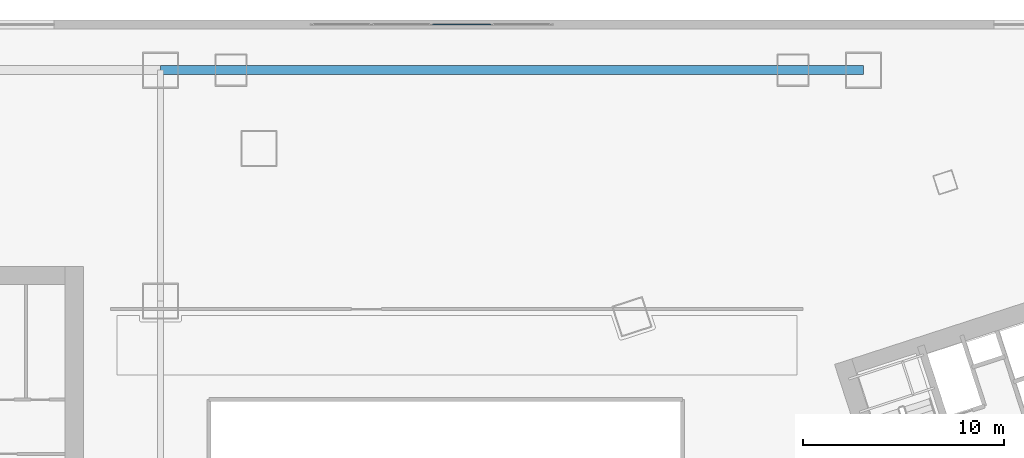
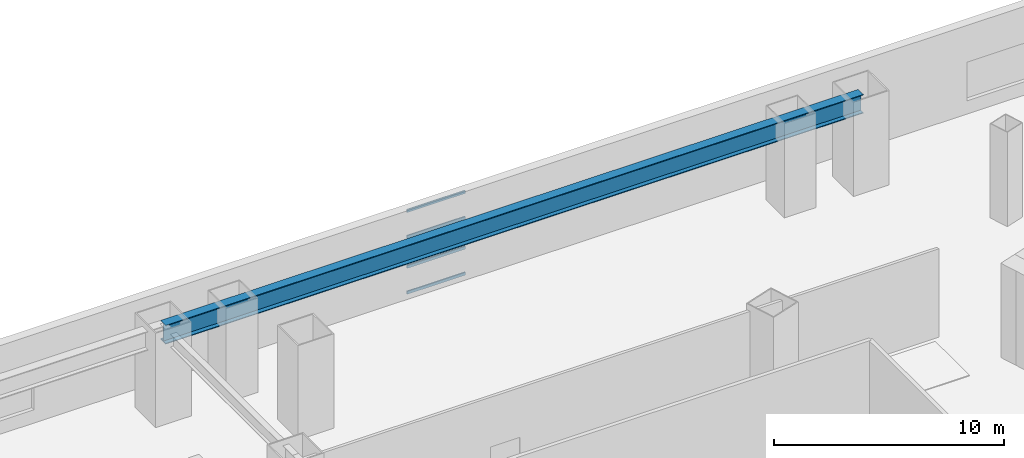
# One storey, part 19 of 35: 4 members, 1 beam, 1 element without a shape of its own.
"""IFC4 building model written with IfcOpenShell, lengths in metres."""

from ifc_helpers import new_model, si_unit, direction, frame, origin, origin_2d, place, context, subcontext, project, spatial, hollow_rectangle, i_section, extrude, material, layer, layer_set, material_profile, profile_set, type_object, element, aggregate, save


model = new_model("IFC4")

# Units and contexts
model_context = context("Model", 3, precision=1e-05, world=origin(), true_north=direction((0.0, 1.0)))
body_context = subcontext(model_context, "Body", "Model", "MODEL_VIEW")
ifc_project = project(units=[si_unit("LENGTHUNIT", "METRE"), si_unit("AREAUNIT", "SQUARE_METRE"), si_unit("VOLUMEUNIT", "CUBIC_METRE"), si_unit("PLANEANGLEUNIT", "RADIAN"), si_unit("MASSUNIT", "GRAM", prefix="KILO")], contexts=[model_context])

# Site, building, storey
site_placement = place(None, origin())
site = spatial("IfcSite", under=ifc_project, at=site_placement, CompositionType="ELEMENT")
building_placement = place(site_placement, origin())
building = spatial("IfcBuilding", under=site, at=building_placement, Name="Qiaolan Cultural Towers", CompositionType="ELEMENT")
storey_placement = place(building_placement, frame((0.0, 0.0, 11.5)))
storey = spatial("IfcBuildingStorey", under=building, at=storey_placement, Name="L02", CompositionType="ELEMENT", Elevation=11.5)

# Beam
ifc_material_1 = material(Name="Steel Q390GJB", Category="steel")
ifc_material_profile_1 = material_profile(ifc_material_1, i_section(OverallWidth=0.449951171875, OverallDepth=1.0, WebThickness=0.02392578125, FlangeThickness=0.0400390625, at=origin_2d()), Name="BH1000x450x24x40")
ifc_profile_set_1 = profile_set([ifc_material_profile_1], Name="Steel Q390GJB")
beam_type = type_object("IfcBeamType", Name="BM-BH1000x450x24x40", PredefinedType="BEAM", material=ifc_profile_set_1)
beam_placement = place(storey_placement, frame((42.5, 65.5, 4.199951171875), z_axis=(1.0, 0.0, 0.0), x_axis=(0.0, 1.0, 0.0)))
element("IfcBeam", 1, at=beam_placement, inside=storey, type_object=beam_type, Name="L02 Podium Primary Girder Y=65.5", PredefinedType="BEAM", context=body_context, shape_type="SweptSolid", body=[
    extrude(i_section(OverallWidth=0.449951171875, OverallDepth=1.0, WebThickness=0.02392578125, FlangeThickness=0.0400390625, at=origin_2d()), origin(), (0.0, 0.0, 1.0), 35.0),
])

# Curtain wall, members
ifc_material_2 = material(Name="Unitized Anodized Aluminium Curtain Wall System", Category="aluminium")
ifc_layer = layer(ifc_material_2, 0.199951171875)
ifc_layer_set = layer_set([ifc_layer], Name="Unitized Anodized Aluminium Curtain Wall System")
curtain_wall_type = type_object("IfcCurtainWallType", Name="CWS-01", PredefinedType="NOTDEFINED", material=ifc_layer_set)
curtain_wall_placement = place(storey_placement, origin())
curtain_wall = element("IfcCurtainWall", 2, at=curtain_wall_placement, inside=storey, type_object=curtain_wall_type, Name="L02 North Atrium Curtain Wall", PredefinedType="NOTDEFINED")
ifc_material_3 = material(Name="Extruded Aluminium 6063-T6", Category="aluminium")
ifc_material_profile_2 = material_profile(ifc_material_3, hollow_rectangle(XDim=0.06494140625, YDim=0.14990234375, WallThickness=0.00390625, at=origin_2d()), Name="CWT-150x65x4")
ifc_profile_set_2 = profile_set([ifc_material_profile_2], Name="Extruded Aluminium 6063-T6")
member_type = type_object("IfcMemberType", Name="CWS-01-TRN", PredefinedType="USERDEFINED", material=ifc_profile_set_2)
member_1_placement = place(storey_placement, frame((56.03759765625, 67.780029296875, 0.1826171875), z_axis=(1.0, 0.0, 0.0), x_axis=(0.0, 1.0, 0.0)))
member_1 = element("IfcMember", 3, at=member_1_placement, type_object=member_type, Name="CW-1 transom 3.1", ObjectType="TRANSOM", PredefinedType="USERDEFINED", context=body_context, shape_type="SweptSolid", body=[
    extrude(hollow_rectangle(XDim=0.06494140625, YDim=0.14990234375, WallThickness=0.00390625, at=origin_2d()), origin(), (0.0, 0.0, 1.0), 2.9248046875),
])
member_2_placement = place(storey_placement, frame((56.03759765625, 67.780029296875, 1.56005859375), z_axis=(1.0, 0.0, 0.0), x_axis=(0.0, 1.0, 0.0)))
member_2 = element("IfcMember", 4, at=member_2_placement, type_object=member_type, Name="CW-1 transom 3.2", ObjectType="TRANSOM", PredefinedType="USERDEFINED", context=body_context, shape_type="SweptSolid", body=[
    extrude(hollow_rectangle(XDim=0.06494140625, YDim=0.14990234375, WallThickness=0.00390625, at=origin_2d()), origin(), (0.0, 0.0, 1.0), 2.9248046875),
])
member_3_placement = place(storey_placement, frame((56.03759765625, 67.780029296875, 3.139892578125), z_axis=(1.0, 0.0, 0.0), x_axis=(0.0, 1.0, 0.0)))
member_3 = element("IfcMember", 5, at=member_3_placement, type_object=member_type, Name="CW-1 transom 3.3", ObjectType="TRANSOM", PredefinedType="USERDEFINED", context=body_context, shape_type="SweptSolid", body=[
    extrude(hollow_rectangle(XDim=0.06494140625, YDim=0.14990234375, WallThickness=0.00390625, at=origin_2d()), origin(), (0.0, 0.0, 1.0), 2.9248046875),
])
member_4_placement = place(storey_placement, frame((56.03759765625, 67.780029296875, 4.517578125), z_axis=(1.0, 0.0, 0.0), x_axis=(0.0, 1.0, 0.0)))
member_4 = element("IfcMember", 6, at=member_4_placement, type_object=member_type, Name="CW-1 transom 3.4", ObjectType="TRANSOM", PredefinedType="USERDEFINED", context=body_context, shape_type="SweptSolid", body=[
    extrude(hollow_rectangle(XDim=0.06494140625, YDim=0.14990234375, WallThickness=0.00390625, at=origin_2d()), origin(), (0.0, 0.0, 1.0), 2.9248046875),
])
aggregate(curtain_wall, [member_1, member_2, member_3, member_4])

save(model, "model.ifc")
